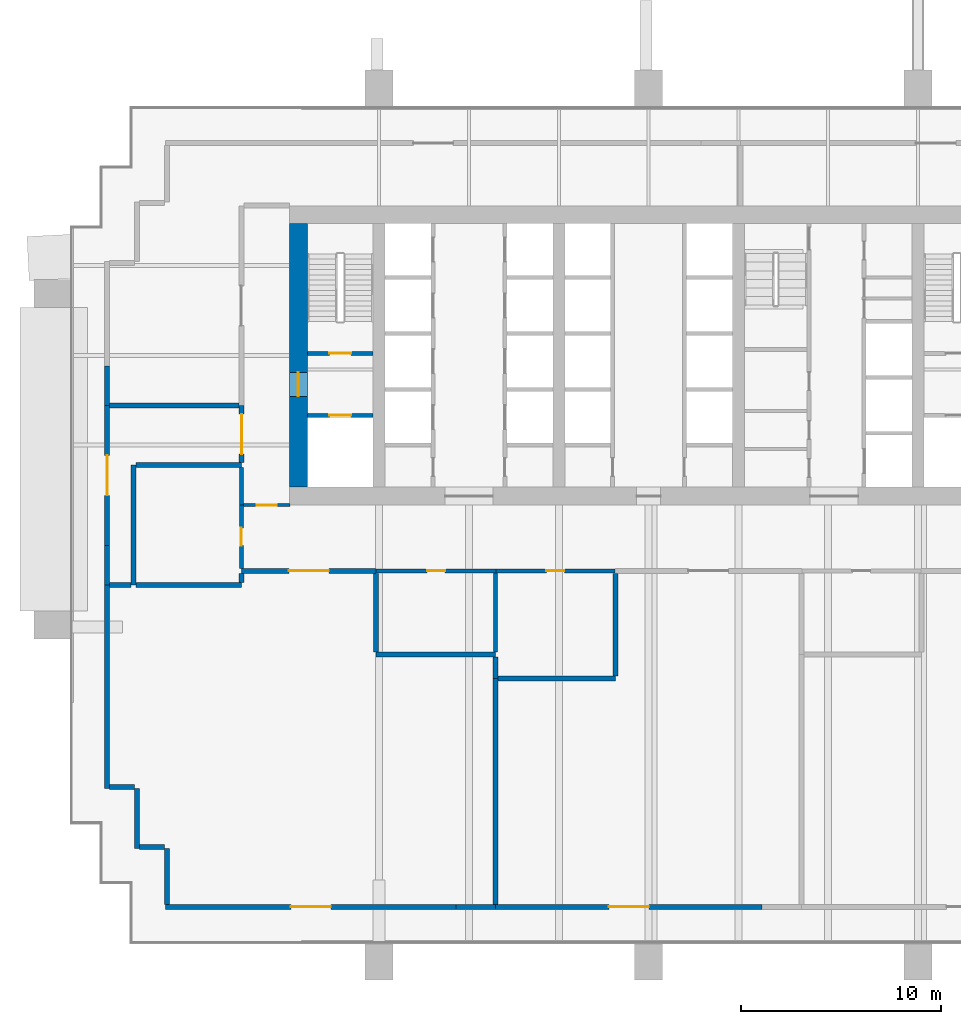
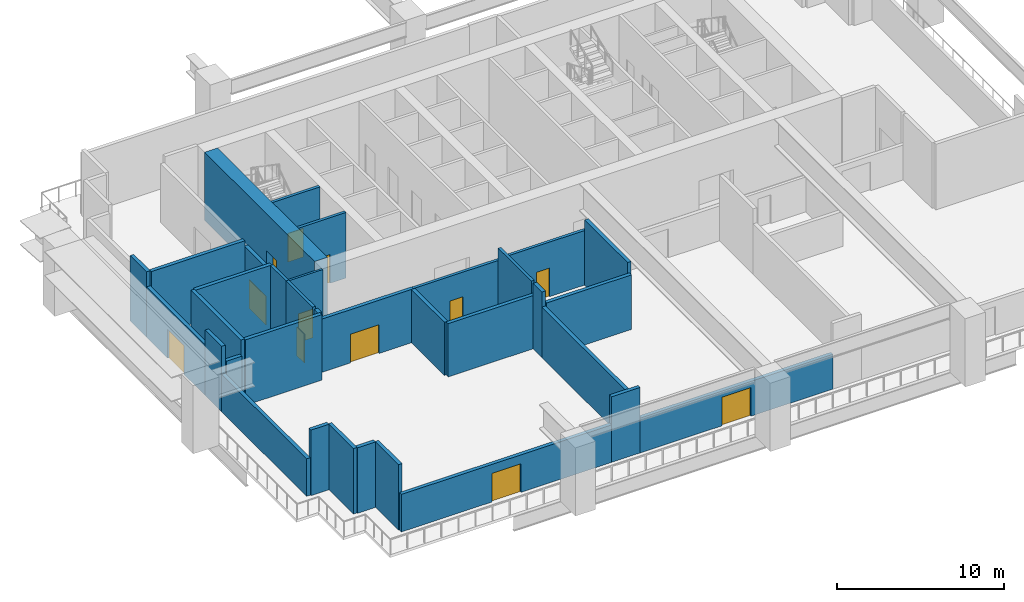
# One storey, part 2 of 9: 34 walls, 12 doors, 12 openings.
"""IFC4 building model written with IfcOpenShell, lengths in metres."""

import ifcopenshell
import ifcopenshell.guid

model = None  # the IFC model being written
_history = None  # IfcOwnerHistory: only IFC2X3 demands one
_inside = {}  # id of a spatial element -> (the spatial element, [elements in it])
_under = {}  # id of a project, library or spatial element -> (it, [spatial elements below it])
_declared = {}  # id of a project -> (the project, [libraries it declares])
_typed = {}  # id of a type object -> (the type object, [elements of that type])
_made_of = {}  # id of a material, layer set ... -> (it, [elements and type objects made of it])


def new_model(schema):
    """Start an empty IFC model of exactly this schema.

    Asked for "IFC4X3", IfcOpenShell would pick the latest addendum, in which some entities
    have other attributes; the version numbers below select the first issue.
    IFC2X3 requires an IfcOwnerHistory on every rooted entity: one is made here for all.
    """
    global model, _history
    if schema == "IFC4X3":
        model = ifcopenshell.file(schema_version=(4, 3, 0, 0))
    else:
        model = ifcopenshell.file(schema=schema)
    _inside.clear()
    _under.clear()
    _declared.clear()
    _typed.clear()
    _made_of.clear()
    _history = None
    if model.schema == "IFC2X3":
        org = make("IfcOrganization", Name="unknown")
        user = make(
            "IfcPersonAndOrganization",
            ThePerson=make("IfcPerson", FamilyName="unknown"),
            TheOrganization=org,
        )
        app = make(
            "IfcApplication",
            ApplicationDeveloper=org,
            Version="unknown",
            ApplicationFullName="unknown",
            ApplicationIdentifier="unknown",
        )
        _history = make(
            "IfcOwnerHistory",
            OwningUser=user,
            OwningApplication=app,
            ChangeAction="ADDED",
            CreationDate=0,
        )
    return model


def make(cls, **values):
    """One entity of the class cls with the attributes given. An attribute that is None is left unset."""
    return model.create_entity(
        cls, **{name: value for name, value in values.items() if value is not None}
    )


def rooted(cls, **values):
    """An entity with a GlobalId (a new one), such as an element, a storey or a relation."""
    return make(cls, GlobalId=ifcopenshell.guid.new(), OwnerHistory=_history, **values)


def si_unit(unit_type, name, prefix=None):
    """IfcSIUnit, for example si_unit("LENGTHUNIT", "METRE", prefix="MILLI")."""
    return make("IfcSIUnit", UnitType=unit_type, Prefix=prefix, Name=name)


def assignment(units):
    """IfcUnitAssignment: the units of a project."""
    return None if units is None else make("IfcUnitAssignment", Units=units)


def point(xyz):
    """IfcCartesianPoint."""
    return None if xyz is None else make("IfcCartesianPoint", Coordinates=xyz)


def direction(xyz):
    """IfcDirection."""
    return None if xyz is None else make("IfcDirection", DirectionRatios=xyz)


def frame(location, z_axis=None, x_axis=None):
    """IfcAxis2Placement3D, a coordinate frame: its origin and axes. An axis left out is left unset."""
    return make(
        "IfcAxis2Placement3D",
        Location=point(location),
        Axis=direction(z_axis),
        RefDirection=direction(x_axis),
    )


def frame_2d(location, x_axis=None):
    """IfcAxis2Placement2D, a coordinate frame in the plane: its origin and x axis."""
    return make(
        "IfcAxis2Placement2D", Location=point(location), RefDirection=direction(x_axis)
    )


def origin():
    """The frame at (0, 0, 0) with its axes left unset."""
    return frame((0.0, 0.0, 0.0))


def place(relative_to, where):
    """IfcLocalPlacement: puts the frame where relative to a parent placement (None: the world)."""
    return make(
        "IfcLocalPlacement", PlacementRelTo=relative_to, RelativePlacement=where
    )


def context(
    kind, dimensions, precision=None, world=None, true_north=None, identifier=None
):
    """IfcGeometricRepresentationContext, for example the 3D "Model" context."""
    return make(
        "IfcGeometricRepresentationContext",
        ContextIdentifier=identifier,
        ContextType=kind,
        CoordinateSpaceDimension=dimensions,
        Precision=precision,
        WorldCoordinateSystem=world,
        TrueNorth=true_north,
    )


def subcontext(parent, identifier, kind, view, scale=None):
    """IfcGeometricRepresentationSubContext, for example "Body" below "Model"."""
    return make(
        "IfcGeometricRepresentationSubContext",
        ContextIdentifier=identifier,
        ContextType=kind,
        ParentContext=parent,
        TargetScale=scale,
        TargetView=view,
    )


def project(units=None, contexts=None):
    """IfcProject with its units and contexts."""
    return rooted(
        "IfcProject",
        Name="project",
        RepresentationContexts=contexts,
        UnitsInContext=assignment(units),
    )


def spatial(cls, under=None, at=None, **own):
    """A site, building, storey or space (cls), placed at a placement, below another one or the project."""
    s = rooted(cls, ObjectPlacement=at, **own)
    if under is not None:
        _under.setdefault(under.id(), (under, []))[1].append(s)
    return s


def profile(cls, at=None, kind="AREA", **sizes):
    """A parametric profile (cls). Its sizes go by their IFC names, for example OverallWidth=200.0."""
    return make(cls, ProfileType=kind, Position=at, **sizes)


def rectangle(**sizes):
    """IfcRectangleProfileDef."""
    return profile("IfcRectangleProfileDef", **sizes)


def extrude(swept, where, along, depth):
    """IfcExtrudedAreaSolid: the profile swept, set in the frame where, extruded along a direction by depth."""
    return make(
        "IfcExtrudedAreaSolid",
        SweptArea=swept,
        Position=where,
        ExtrudedDirection=direction(along),
        Depth=depth,
    )


def shape(context_of_items, identifier, shape_type, items):
    """IfcShapeRepresentation: the items that make up one representation, for example the "Body"."""
    return make(
        "IfcShapeRepresentation",
        ContextOfItems=context_of_items,
        RepresentationIdentifier=identifier,
        RepresentationType=shape_type,
        Items=items,
    )


def material(Name=None, Category=None):
    """IfcMaterial."""
    return make("IfcMaterial", Name=Name, Category=Category)


def layer(
    of_material, thickness, ventilated=None, Name=None, Category=None, Priority=None
):
    """IfcMaterialLayer: one layer of a wall or slab, of a material (None: an air gap)."""
    return make(
        "IfcMaterialLayer",
        Material=of_material,
        LayerThickness=thickness,
        IsVentilated=ventilated,
        Name=Name,
        Category=Category,
        Priority=Priority,
    )


def layer_set(layers, Name=None):
    """IfcMaterialLayerSet."""
    return make("IfcMaterialLayerSet", MaterialLayers=layers, LayerSetName=Name)


def made_of(thing, what):
    """Note that an element or type object is made of a material, layer set ...; save() writes the relation."""
    if what is not None:
        _made_of.setdefault(what.id(), (what, []))[1].append(thing)
    return thing


def type_object(cls, material=None, **own):
    """A type object (cls), such as IfcWallType, which elements share."""
    return made_of(rooted(cls, **own), material)


def element(
    cls,
    number,
    at=None,
    inside=None,
    cuts=None,
    type_object=None,
    material=None,
    context=None,
    identifier="Body",
    shape_type=None,
    held_by="IfcProductDefinitionShape",
    body=None,
    shapes=None,
    **own,
):
    """One element of the class cls, such as IfcWall. Its Tag is "e" and its number.

    at: its placement. inside: the storey or other place that contains it. cuts: it is an
    opening in that element (IfcRelVoidsElement). A single representation is given by context,
    identifier, shape_type and body (its items); several are given by shapes. held_by: the class
    of the entity that holds the representations. save() writes the other relations.
    """
    e = rooted(cls, Tag="e%d" % number, ObjectPlacement=at, **own)
    if body is not None:
        shapes = [shape(context, identifier, shape_type, body)]
    if shapes is not None:
        e.Representation = make(held_by, Representations=shapes)
    if inside is not None:
        _inside.setdefault(inside.id(), (inside, []))[1].append(e)
    if cuts is not None:
        rooted(
            "IfcRelVoidsElement", RelatingBuildingElement=cuts, RelatedOpeningElement=e
        )
    if type_object is not None:
        _typed.setdefault(type_object.id(), (type_object, []))[1].append(e)
    return made_of(e, material)


def fill(opening, filler):
    """IfcRelFillsElement: the door or window that sits in an opening."""
    return rooted(
        "IfcRelFillsElement",
        RelatingOpeningElement=opening,
        RelatedBuildingElement=filler,
    )


def aggregate(whole, parts):
    """IfcRelAggregates: a whole, such as a stair, and the parts it consists of."""
    return rooted("IfcRelAggregates", RelatingObject=whole, RelatedObjects=parts)


def save(model, path):
    """Write the relations noted so far, then the file.

    IfcRelAggregates (storeys below a building ...), IfcRelContainedInSpatialStructure (elements
    in a storey), IfcRelDefinesByType, IfcRelAssociatesMaterial and IfcRelDeclares: one each for
    every whole, place, type object, material and project.
    """
    for whole, parts in _under.values():
        aggregate(whole, parts)
    for where, things in _inside.values():
        rooted(
            "IfcRelContainedInSpatialStructure",
            RelatedElements=things,
            RelatingStructure=where,
        )
    for kind, things in _typed.values():
        rooted("IfcRelDefinesByType", RelatedObjects=things, RelatingType=kind)
    for what, things in _made_of.values():
        rooted("IfcRelAssociatesMaterial", RelatedObjects=things, RelatingMaterial=what)
    for by, libraries in _declared.values():
        rooted("IfcRelDeclares", RelatingContext=by, RelatedDefinitions=libraries)
    model.write(path)


model = new_model("IFC4")

# Units and contexts
model_context = context("Model", 3, precision=1e-05, world=origin(), true_north=direction((0.0, 1.0)))
body_context = subcontext(model_context, "Body", "Model", "MODEL_VIEW")
ifc_project = project(units=[si_unit("LENGTHUNIT", "METRE"), si_unit("AREAUNIT", "SQUARE_METRE"), si_unit("VOLUMEUNIT", "CUBIC_METRE"), si_unit("PLANEANGLEUNIT", "RADIAN"), si_unit("MASSUNIT", "GRAM", prefix="KILO")], contexts=[model_context])

# Site, building, storey
site_placement = place(None, origin())
site = spatial("IfcSite", under=ifc_project, at=site_placement, CompositionType="ELEMENT")
building_placement = place(site_placement, origin())
building = spatial("IfcBuilding", under=site, at=building_placement, Name="Rattan Terrace Tower", CompositionType="ELEMENT")
storey_placement = place(building_placement, frame((0.0, 0.0, 158.10009765625)))
storey = spatial("IfcBuildingStorey", under=building, at=storey_placement, Name="L36", CompositionType="ELEMENT", Elevation=158.10009765625)

# Wall, opening, door
ifc_material_1 = material(Name="Gypsum board partition")
ifc_layer_1 = layer(ifc_material_1, 0.199951171875)
ifc_layer_set_1 = layer_set([ifc_layer_1], Name="Core partition 200")
wall_type_1 = type_object("IfcWallType", Name="Core partition 200", PredefinedType="PARTITIONING", material=ifc_layer_set_1)
wall_1_placement = place(storey_placement, frame((-17.10009765625, -3.0, 0.0), z_axis=(0.0, 0.0, 1.0), x_axis=(1.0, 0.0, 0.0)))
wall_1 = element("IfcWall", 1, at=wall_1_placement, inside=storey, type_object=wall_type_1, Name="Fire-fighting lobby wall", PredefinedType="PARTITIONING", context=body_context, shape_type="SweptSolid", body=[
    extrude(rectangle(XDim=3.300048828125, YDim=0.199951171875, at=frame_2d((1.64990234375, 0.0))), origin(), (0.0, 0.0, 1.0), 4.7998046875),
])
opening_1_placement = place(wall_1_placement, frame((1.10009765625, 0.0, 0.0)))
opening_1 = element("IfcOpeningElement", 2, at=opening_1_placement, cuts=wall_1, Name="Opening L36-LD-FF1", PredefinedType="OPENING", context=body_context, shape_type="SweptSolid", body=[
    extrude(rectangle(XDim=1.10009765625, YDim=2.10009765625, at=frame_2d((0.550048828125, 1.050048828125))), frame((0.0, 0.110595703125, 0.0), z_axis=(0.0, -1.0, 0.0), x_axis=(1.0, 0.0, 0.0)), (0.0, 0.0, 1.0), 0.220947265625),
])
ifc_material_2 = material(Name="Brushed stainless landing door panel")
door_type_1 = type_object("IfcDoorType", Name="Core lift landing door 1100", OperationType="DOUBLE_DOOR_SLIDING", PredefinedType="DOOR", material=ifc_material_2)
door_1_placement = place(opening_1_placement, origin())
door_1 = element("IfcDoor", 3, at=door_1_placement, inside=storey, type_object=door_type_1, Name="Door L36-LD-FF1", OperationType="DOUBLE_DOOR_SLIDING", OverallHeight=2.10009765625, OverallWidth=1.10009765625, PredefinedType="DOOR", context=body_context, shape_type="SweptSolid", body=[
    extrude(rectangle(XDim=1.10009765625, YDim=2.10009765625, at=frame_2d((0.550048828125, 1.050048828125))), frame((0.0, 0.02490234375, 0.0), z_axis=(0.0, -1.0, 0.0), x_axis=(1.0, 0.0, 0.0)), (0.0, 0.0, 1.0), 0.050048828125),
])
fill(opening_1, door_1)

wall_2_placement = place(storey_placement, frame((-17.10009765625, 0.10009765625, 0.0), z_axis=(0.0, 0.0, 1.0), x_axis=(1.0, 0.0, 0.0)))
wall_2 = element("IfcWall", 4, at=wall_2_placement, inside=storey, type_object=wall_type_1, Name="Stair enclosure wall", PredefinedType="PARTITIONING", context=body_context, shape_type="SweptSolid", body=[
    extrude(rectangle(XDim=3.300048828125, YDim=0.199951171875, at=frame_2d((1.64990234375, 0.0))), origin(), (0.0, 0.0, 1.0), 4.7998046875),
])
opening_2_placement = place(wall_2_placement, frame((1.10009765625, 0.0, 0.0)))
opening_2 = element("IfcOpeningElement", 5, at=opening_2_placement, cuts=wall_2, Name="Opening L36-D002", PredefinedType="OPENING", context=body_context, shape_type="SweptSolid", body=[
    extrude(rectangle(XDim=1.10009765625, YDim=2.10009765625, at=frame_2d((0.550048828125, 1.050048828125))), frame((0.0, 0.110595703125, 0.0), z_axis=(0.0, -1.0, 0.0), x_axis=(1.0, 0.0, 0.0)), (0.0, 0.0, 1.0), 0.220947265625),
])
ifc_material_3 = material(Name="Hollow-metal fire door leaf")
door_type_2 = type_object("IfcDoorType", Name="Core stair door 1100", OperationType="NOTDEFINED", PredefinedType="DOOR", material=ifc_material_3)
door_2_placement = place(opening_2_placement, origin())
door_2 = element("IfcDoor", 6, at=door_2_placement, inside=storey, type_object=door_type_2, Name="Door L36-D002", OperationType="SINGLE_SWING_RIGHT", OverallHeight=2.10009765625, OverallWidth=1.10009765625, PredefinedType="DOOR", context=body_context, shape_type="SweptSolid", body=[
    extrude(rectangle(XDim=1.10009765625, YDim=2.10009765625, at=frame_2d((0.550048828125, 1.050048828125))), frame((0.0, 0.02490234375, 0.0), z_axis=(0.0, -1.0, 0.0), x_axis=(1.0, 0.0, 0.0)), (0.0, 0.0, 1.0), 0.050048828125),
])
fill(opening_2, door_2)

ifc_material_4 = material(Name="Concrete C60/75", Category="concrete")
ifc_layer_2 = layer(ifc_material_4, 0.89990234375)
ifc_layer_set_2 = layer_set([ifc_layer_2], Name="Core ring wall 900 C60/75")
wall_type_2 = type_object("IfcWallType", Name="Core ring wall 900 C60/75", PredefinedType="SHEAR", material=ifc_layer_set_2)
wall_3_placement = place(storey_placement, frame((-17.550048828125, -6.60009765625, -0.2001953125), z_axis=(0.0, 0.0, 1.0), x_axis=(0.0, 1.0, 0.0)))
wall_3 = element("IfcWall", 7, at=wall_3_placement, inside=storey, type_object=wall_type_2, Name="Rear core wall west", PredefinedType="SHEAR", context=body_context, shape_type="SweptSolid", body=[
    extrude(rectangle(XDim=13.2001953125, YDim=0.89990234375, at=frame_2d((6.60009765625, 0.0))), origin(), (0.0, 0.0, 1.0), 5.0),
])
opening_3_placement = place(wall_3_placement, frame((4.550048828125, 0.0, 0.199951171875)))
opening_3 = element("IfcOpeningElement", 8, at=opening_3_placement, cuts=wall_3, Name="Opening L36-D001", PredefinedType="OPENING", context=body_context, shape_type="SweptSolid", body=[
    extrude(rectangle(XDim=1.199951171875, YDim=2.10009765625, at=frame_2d((0.60009765625, 1.050048828125))), frame((0.0, 0.46044921875, 0.0), z_axis=(0.0, -1.0, 0.0), x_axis=(1.0, 0.0, 0.0)), (0.0, 0.0, 1.0), 0.9208984375),
])
ifc_material_5 = material(Name="Hollow-metal fire door leaf")
door_type_3 = type_object("IfcDoorType", Name="Core fire-fighting lobby door 1200", OperationType="NOTDEFINED", PredefinedType="DOOR", material=ifc_material_5)
door_3_placement = place(opening_3_placement, origin())
door_3 = element("IfcDoor", 9, at=door_3_placement, inside=storey, type_object=door_type_3, Name="Door L36-D001", OperationType="SINGLE_SWING_LEFT", OverallHeight=2.10009765625, OverallWidth=1.199951171875, PredefinedType="DOOR", context=body_context, shape_type="SweptSolid", body=[
    extrude(rectangle(XDim=1.199951171875, YDim=2.10009765625, at=frame_2d((0.60009765625, 1.050048828125))), frame((0.0, 0.02490234375, 0.0), z_axis=(0.0, -1.0, 0.0), x_axis=(1.0, 0.0, 0.0)), (0.0, 0.0, 1.0), 0.050048828125),
])
fill(opening_3, door_3)

ifc_material_6 = material(Name="Concrete block wall, plastered", Category="concrete")
ifc_layer_3 = layer(ifc_material_6, 0.199951171875)
ifc_layer_set_3 = layer_set([ifc_layer_3], Name="Floors Plant Wall 200")
wall_type_3 = type_object("IfcWallType", Name="Floors Plant Wall 200", PredefinedType="PARTITIONING", material=ifc_layer_set_3)
wall_4_placement = place(storey_placement, frame((-20.40087890625, -10.675048828125, 0.0), z_axis=(0.0, 0.0, 1.0), x_axis=(0.0, 1.0, 0.0)))
wall_4 = element("IfcWall", 10, at=wall_4_placement, inside=storey, type_object=wall_type_3, Name="pt-L36-002", PredefinedType="PARTITIONING", context=body_context, shape_type="SweptSolid", body=[
    extrude(rectangle(XDim=3.175048828125, YDim=0.199951171875, at=frame_2d((1.58740234375, 0.0))), origin(), (0.0, 0.0, 1.0), 4.7998046875),
])
opening_4_placement = place(wall_4_placement, frame((1.137939453125, 0.0, 0.0)))
opening_4 = element("IfcOpeningElement", 11, at=opening_4_placement, cuts=wall_4, Name="Opening L36-D101", PredefinedType="OPENING", context=body_context, shape_type="SweptSolid", body=[
    extrude(rectangle(XDim=0.89990234375, YDim=2.10009765625, at=frame_2d((0.449951171875, 1.050048828125))), frame((0.0, 0.110595703125, 0.0), z_axis=(0.0, -1.0, 0.0), x_axis=(1.0, 0.0, 0.0)), (0.0, 0.0, 1.0), 0.220947265625),
])
ifc_material_7 = material(Name="Steel fire door set", Category="steel")
door_type_4 = type_object("IfcDoorType", Name="Floors Fire Door FD60 900x2100", OperationType="NOTDEFINED", PredefinedType="DOOR", material=ifc_material_7)
door_4_placement = place(opening_4_placement, origin())
door_4 = element("IfcDoor", 12, at=door_4_placement, inside=storey, type_object=door_type_4, Name="d-L36-101", OperationType="SINGLE_SWING_RIGHT", OverallHeight=2.10009765625, OverallWidth=0.89990234375, PredefinedType="DOOR", context=body_context, shape_type="SweptSolid", body=[
    extrude(rectangle(XDim=0.89990234375, YDim=2.10009765625, at=frame_2d((0.449951171875, 1.050048828125))), frame((0.0, 0.02490234375, 0.0), z_axis=(0.0, -1.0, 0.0), x_axis=(1.0, 0.0, 0.0)), (0.0, 0.0, 1.0), 0.050048828125),
])
fill(opening_4, door_4)

wall_5_placement = place(storey_placement, frame((-7.64697265625, -10.800048828125, 0.0), z_axis=(0.0, 0.0, 1.0), x_axis=(-1.0, 0.0, 0.0)))
wall_5 = element("IfcWall", 13, at=wall_5_placement, inside=storey, type_object=wall_type_3, Name="pt-L36-003", PredefinedType="PARTITIONING", context=body_context, shape_type="SweptSolid", body=[
    extrude(rectangle(XDim=6.0, YDim=0.199951171875, at=frame_2d((3.0, 0.0))), origin(), (0.0, 0.0, 1.0), 3.89990234375),
])
opening_5_placement = place(wall_5_placement, frame((2.550048828125, 0.0, 0.0)))
opening_5 = element("IfcOpeningElement", 14, at=opening_5_placement, cuts=wall_5, Name="Opening L36-D106", PredefinedType="OPENING", context=body_context, shape_type="SweptSolid", body=[
    extrude(rectangle(XDim=0.89990234375, YDim=2.10009765625, at=frame_2d((0.449951171875, 1.050048828125))), frame((0.0, 0.110595703125, 0.0), z_axis=(0.0, -1.0, 0.0), x_axis=(1.0, 0.0, 0.0)), (0.0, 0.0, 1.0), 0.220947265625),
])
door_5_placement = place(opening_5_placement, origin())
door_5 = element("IfcDoor", 15, at=door_5_placement, inside=storey, type_object=door_type_4, Name="d-L36-106", OperationType="SINGLE_SWING_LEFT", OverallHeight=2.10009765625, OverallWidth=0.89990234375, PredefinedType="DOOR", context=body_context, shape_type="SweptSolid", body=[
    extrude(rectangle(XDim=0.89990234375, YDim=2.10009765625, at=frame_2d((0.449951171875, 1.050048828125))), frame((0.0, 0.02490234375, 0.0), z_axis=(0.0, -1.0, 0.0), x_axis=(1.0, 0.0, 0.0)), (0.0, 0.0, 1.0), 0.050048828125),
])
fill(opening_5, door_5)

wall_6_placement = place(storey_placement, frame((-1.68701171875, -10.800048828125, 0.0), z_axis=(0.0, 0.0, 1.0), x_axis=(-1.0, 0.0, 0.0)))
wall_6 = element("IfcWall", 16, at=wall_6_placement, inside=storey, type_object=wall_type_3, Name="pt-L36-005", PredefinedType="PARTITIONING", context=body_context, shape_type="SweptSolid", body=[
    extrude(rectangle(XDim=5.9599609375, YDim=0.199951171875, at=frame_2d((2.97998046875, 0.0))), origin(), (0.0, 0.0, 1.0), 4.0),
])
opening_6_placement = place(wall_6_placement, frame((2.530029296875, 0.0, 0.0)))
opening_6 = element("IfcOpeningElement", 17, at=opening_6_placement, cuts=wall_6, Name="Opening L36-D109", PredefinedType="OPENING", context=body_context, shape_type="SweptSolid", body=[
    extrude(rectangle(XDim=0.89990234375, YDim=2.10009765625, at=frame_2d((0.449951171875, 1.050048828125))), frame((0.0, 0.110595703125, 0.0), z_axis=(0.0, -1.0, 0.0), x_axis=(1.0, 0.0, 0.0)), (0.0, 0.0, 1.0), 0.220947265625),
])
door_6_placement = place(opening_6_placement, origin())
door_6 = element("IfcDoor", 18, at=door_6_placement, inside=storey, type_object=door_type_4, Name="d-L36-109", OperationType="SINGLE_SWING_RIGHT", OverallHeight=2.10009765625, OverallWidth=0.89990234375, PredefinedType="DOOR", context=body_context, shape_type="SweptSolid", body=[
    extrude(rectangle(XDim=0.89990234375, YDim=2.10009765625, at=frame_2d((0.449951171875, 1.050048828125))), frame((0.0, 0.02490234375, 0.0), z_axis=(0.0, -1.0, 0.0), x_axis=(1.0, 0.0, 0.0)), (0.0, 0.0, 1.0), 0.050048828125),
])
fill(opening_6, door_6)

# Walls
wall_7_placement = place(storey_placement, frame((-20.39892578125, -7.5, 0.0), z_axis=(0.0, 0.0, 1.0), x_axis=(0.0, 1.0, 0.0)))
element("IfcWall", 19, at=wall_7_placement, inside=storey, type_object=wall_type_3, Name="pt-L36-011", PredefinedType="PARTITIONING", context=body_context, shape_type="SweptSolid", body=[
    extrude(rectangle(XDim=1.8759765625, YDim=0.199951171875, at=frame_2d((0.93798828125, 0.0))), origin(), (0.0, 0.0, 1.0), 4.7998046875),
])
wall_8_placement = place(storey_placement, frame((-7.666015625, -10.89990234375, 0.0), z_axis=(0.0, 0.0, 1.0), x_axis=(0.0, -1.0, 0.0)))
element("IfcWall", 20, at=wall_8_placement, inside=storey, type_object=wall_type_3, Name="pt-L36-034", PredefinedType="PARTITIONING", context=body_context, shape_type="SweptSolid", body=[
    extrude(rectangle(XDim=3.97509765625, YDim=0.199951171875, at=frame_2d((1.987548828125, 0.0))), origin(), (0.0, 0.0, 1.0), 4.7998046875),
])

# Wall, opening, door
ifc_material_8 = material(Name="Reinforced concrete wall, painted", Category="concrete")
ifc_layer_4 = layer(ifc_material_8, 0.25)
ifc_layer_set_4 = layer_set([ifc_layer_4], Name="Floors Refuge Wall 250")
wall_type_4 = type_object("IfcWallType", Name="Floors Refuge Wall 250", PredefinedType="PARTITIONING", material=ifc_layer_set_4)
wall_9_placement = place(storey_placement, frame((-13.64697265625, -10.800048828125, 0.0), z_axis=(0.0, 0.0, 1.0), x_axis=(-1.0, 0.0, 0.0)))
wall_9 = element("IfcWall", 21, at=wall_9_placement, inside=storey, type_object=wall_type_4, Name="pt-L36-004", PredefinedType="PARTITIONING", context=body_context, shape_type="SweptSolid", body=[
    extrude(rectangle(XDim=6.7529296875, YDim=0.25, at=frame_2d((3.37646484375, 0.0))), origin(), (0.0, 0.0, 1.0), 3.89990234375),
])
opening_7_placement = place(wall_9_placement, frame((2.3759765625, 0.0, 0.0)))
opening_7 = element("IfcOpeningElement", 22, at=opening_7_placement, cuts=wall_9, Name="Opening L36-D107", PredefinedType="OPENING", context=body_context, shape_type="SweptSolid", body=[
    extrude(rectangle(XDim=2.0, YDim=2.10009765625, at=frame_2d((1.0, 1.050048828125))), frame((0.0, 0.135498046875, 0.0), z_axis=(0.0, -1.0, 0.0), x_axis=(1.0, 0.0, 0.0)), (0.0, 0.0, 1.0), 0.27099609375),
])
ifc_material_9 = material(Name="Steel fire door set", Category="steel")
door_type_5 = type_object("IfcDoorType", Name="Floors Plant Equipment Door Pair FD120 2000x2100", OperationType="NOTDEFINED", PredefinedType="DOOR", material=ifc_material_9)
door_7_placement = place(opening_7_placement, origin())
door_7 = element("IfcDoor", 23, at=door_7_placement, inside=storey, type_object=door_type_5, Name="d-L36-107", OperationType="DOUBLE_DOOR_SINGLE_SWING", OverallHeight=2.10009765625, OverallWidth=2.0, PredefinedType="DOOR", context=body_context, shape_type="SweptSolid", body=[
    extrude(rectangle(XDim=2.0, YDim=2.10009765625, at=frame_2d((1.0, 1.050048828125))), frame((0.0, 0.02490234375, 0.0), z_axis=(0.0, -1.0, 0.0), x_axis=(1.0, 0.0, 0.0)), (0.0, 0.0, 1.0), 0.050048828125),
])
fill(opening_7, door_7)

wall_10_placement = place(storey_placement, frame((-20.39697265625, -5.3740234375, 0.0), z_axis=(0.0, 0.0, 1.0), x_axis=(0.0, 1.0, 0.0)))
wall_10 = element("IfcWall", 24, at=wall_10_placement, inside=storey, type_object=wall_type_4, Name="pt-L36-012", PredefinedType="PARTITIONING", context=body_context, shape_type="SweptSolid", body=[
    extrude(rectangle(XDim=2.85400390625, YDim=0.25, at=frame_2d((1.427001953125, 0.0))), origin(), (0.0, 0.0, 1.0), 4.349853515625),
])
opening_8_placement = place(wall_10_placement, frame((0.427001953125, 0.0, 0.0)))
opening_8 = element("IfcOpeningElement", 25, at=opening_8_placement, cuts=wall_10, Name="Opening L36-D102", PredefinedType="OPENING", context=body_context, shape_type="SweptSolid", body=[
    extrude(rectangle(XDim=2.0, YDim=2.10009765625, at=frame_2d((1.0, 1.050048828125))), frame((0.0, 0.135498046875, 0.0), z_axis=(0.0, -1.0, 0.0), x_axis=(1.0, 0.0, 0.0)), (0.0, 0.0, 1.0), 0.27099609375),
])
door_8_placement = place(opening_8_placement, origin())
door_8 = element("IfcDoor", 26, at=door_8_placement, inside=storey, type_object=door_type_5, Name="d-L36-102", OperationType="DOUBLE_DOOR_SINGLE_SWING", OverallHeight=2.10009765625, OverallWidth=2.0, PredefinedType="DOOR", context=body_context, shape_type="SweptSolid", body=[
    extrude(rectangle(XDim=2.0, YDim=2.10009765625, at=frame_2d((1.0, 1.050048828125))), frame((0.0, 0.02490234375, 0.0), z_axis=(0.0, -1.0, 0.0), x_axis=(1.0, 0.0, 0.0)), (0.0, 0.0, 1.0), 0.050048828125),
])
fill(opening_8, door_8)

# Walls
wall_11_placement = place(storey_placement, frame((-25.800048828125, -11.5, 0.0), z_axis=(0.0, 0.0, 1.0), x_axis=(0.0, 1.0, 0.0)))
element("IfcWall", 27, at=wall_11_placement, inside=storey, type_object=wall_type_4, Name="pt-L36-015", PredefinedType="PARTITIONING", context=body_context, shape_type="SweptSolid", body=[
    extrude(rectangle(XDim=6.0, YDim=0.25, at=frame_2d((3.0, 0.0))), origin(), (0.0, 0.0, 1.0), 4.7998046875),
])
wall_12_placement = place(storey_placement, frame((-25.675048828125, -5.4990234375, 0.0), z_axis=(0.0, 0.0, 1.0), x_axis=(1.0, 0.0, 0.0)))
element("IfcWall", 28, at=wall_12_placement, inside=storey, type_object=wall_type_4, Name="pt-L36-016", PredefinedType="PARTITIONING", context=body_context, shape_type="SweptSolid", body=[
    extrude(rectangle(XDim=5.275146484375, YDim=0.25, at=frame_2d((2.6376953125, 0.0))), origin(), (0.0, 0.0, 1.0), 4.7998046875),
])
wall_13_placement = place(storey_placement, frame((-20.40087890625, -10.925048828125, 0.0), z_axis=(0.0, 0.0, 1.0), x_axis=(0.0, -1.0, 0.0)))
element("IfcWall", 29, at=wall_13_placement, inside=storey, type_object=wall_type_4, Name="pt-L36-017", PredefinedType="PARTITIONING", context=body_context, shape_type="SweptSolid", body=[
    extrude(rectangle(XDim=0.450927734375, YDim=0.25, at=frame_2d((0.2255859375, 0.0))), origin(), (0.0, 0.0, 1.0), 4.7998046875),
])
wall_14_placement = place(storey_placement, frame((-20.39990234375, -11.5009765625, 0.0), z_axis=(0.0, 0.0, 1.0), x_axis=(-1.0, 0.0, 0.0)))
element("IfcWall", 30, at=wall_14_placement, inside=storey, type_object=wall_type_4, Name="pt-L36-018", PredefinedType="PARTITIONING", context=body_context, shape_type="SweptSolid", body=[
    extrude(rectangle(XDim=5.275146484375, YDim=0.25, at=frame_2d((2.6376953125, 0.0))), origin(), (0.0, 0.0, 1.0), 4.7998046875),
])
wall_15_placement = place(storey_placement, frame((-27.013916015625, -2.5, 0.0), z_axis=(0.0, 0.0, 1.0), x_axis=(1.0, 0.0, 0.0)))
element("IfcWall", 31, at=wall_15_placement, inside=storey, type_object=wall_type_4, Name="pt-L36-019", PredefinedType="PARTITIONING", context=body_context, shape_type="SweptSolid", body=[
    extrude(rectangle(XDim=6.489013671875, YDim=0.25, at=frame_2d((3.24462890625, 0.0))), origin(), (0.0, 0.0, 1.0), 4.7998046875),
])
wall_16_placement = place(storey_placement, frame((-25.925048828125, -11.5029296875, 0.0), z_axis=(0.0, 0.0, 1.0), x_axis=(-1.0, 0.0, 0.0)))
element("IfcWall", 32, at=wall_16_placement, inside=storey, type_object=wall_type_4, Name="pt-L36-020", PredefinedType="PARTITIONING", context=body_context, shape_type="SweptSolid", body=[
    extrude(rectangle(XDim=1.087890625, YDim=0.25, at=frame_2d((0.5439453125, 0.0))), origin(), (0.0, 0.0, 1.0), 3.699951171875),
])
wall_17_placement = place(storey_placement, frame((-27.138916015625, -11.5, 0.0), z_axis=(0.0, 0.0, 1.0), x_axis=(0.0, 1.0, 0.0)))
element("IfcWall", 33, at=wall_17_placement, inside=storey, type_object=wall_type_4, Name="pt-L36-021", PredefinedType="PARTITIONING", context=body_context, shape_type="SweptSolid", body=[
    extrude(rectangle(XDim=1.97998046875, YDim=0.25, at=frame_2d((0.989990234375, 0.0))), origin(), (0.0, 0.0, 1.0), 4.7998046875),
])

# Wall, opening, door
wall_18_placement = place(storey_placement, frame((-27.138916015625, -2.5, 0.0), z_axis=(0.0, 0.0, 1.0), x_axis=(0.0, -1.0, 0.0)))
wall_18 = element("IfcWall", 34, at=wall_18_placement, inside=storey, type_object=wall_type_4, Name="pt-L36-022", PredefinedType="PARTITIONING", context=body_context, shape_type="SweptSolid", body=[
    extrude(rectangle(XDim=7.02001953125, YDim=0.25, at=frame_2d((3.510009765625, 0.0))), origin(), (0.0, 0.0, 1.0), 3.699951171875),
])
opening_9_placement = place(wall_18_placement, frame((2.510009765625, 0.0, 0.0)))
opening_9 = element("IfcOpeningElement", 35, at=opening_9_placement, cuts=wall_18, Name="Opening L36-D103", PredefinedType="OPENING", context=body_context, shape_type="SweptSolid", body=[
    extrude(rectangle(XDim=2.0, YDim=2.10009765625, at=frame_2d((1.0, 1.050048828125))), frame((0.0, 0.135498046875, 0.0), z_axis=(0.0, -1.0, 0.0), x_axis=(1.0, 0.0, 0.0)), (0.0, 0.0, 1.0), 0.27099609375),
])
door_9_placement = place(opening_9_placement, origin())
door_9 = element("IfcDoor", 36, at=door_9_placement, inside=storey, type_object=door_type_5, Name="d-L36-103", OperationType="DOUBLE_DOOR_SINGLE_SWING", OverallHeight=2.10009765625, OverallWidth=2.0, PredefinedType="DOOR", context=body_context, shape_type="SweptSolid", body=[
    extrude(rectangle(XDim=2.0, YDim=2.10009765625, at=frame_2d((1.0, 1.050048828125))), frame((0.0, 0.02490234375, 0.0), z_axis=(0.0, -1.0, 0.0), x_axis=(1.0, 0.0, 0.0)), (0.0, 0.0, 1.0), 0.050048828125),
])
fill(opening_9, door_9)

# Walls
wall_19_placement = place(storey_placement, frame((-27.138916015625, -2.5, 0.0), z_axis=(0.0, 0.0, 1.0), x_axis=(0.0, 1.0, 0.0)))
element("IfcWall", 37, at=wall_19_placement, inside=storey, type_object=wall_type_4, Name="pt-L36-024", PredefinedType="PARTITIONING", context=body_context, shape_type="SweptSolid", body=[
    extrude(rectangle(XDim=1.97998046875, YDim=0.25, at=frame_2d((0.989990234375, 0.0))), origin(), (0.0, 0.0, 1.0), 4.7998046875),
])
wall_20_placement = place(storey_placement, frame((-13.6669921875, -14.875, 0.0), z_axis=(0.0, 0.0, 1.0), x_axis=(0.0, 1.0, 0.0)))
element("IfcWall", 38, at=wall_20_placement, inside=storey, type_object=wall_type_4, Name="pt-L36-032", PredefinedType="PARTITIONING", context=body_context, shape_type="SweptSolid", body=[
    extrude(rectangle(XDim=3.949951171875, YDim=0.25, at=frame_2d((1.97509765625, 0.0))), origin(), (0.0, 0.0, 1.0), 3.89990234375),
])
wall_21_placement = place(storey_placement, frame((-7.6669921875, -15.0, 0.0), z_axis=(0.0, 0.0, 1.0), x_axis=(-1.0, 0.0, 0.0)))
element("IfcWall", 39, at=wall_21_placement, inside=storey, type_object=wall_type_4, Name="pt-L36-033", PredefinedType="PARTITIONING", context=body_context, shape_type="SweptSolid", body=[
    extrude(rectangle(XDim=6.0, YDim=0.25, at=frame_2d((3.0, 0.0))), origin(), (0.0, 0.0, 1.0), 3.89990234375),
])
wall_22_placement = place(storey_placement, frame((-7.666015625, -15.125, 0.0), z_axis=(0.0, 0.0, 1.0), x_axis=(0.0, -1.0, 0.0)))
element("IfcWall", 40, at=wall_22_placement, inside=storey, type_object=wall_type_4, Name="pt-L36-035", PredefinedType="PARTITIONING", context=body_context, shape_type="SweptSolid", body=[
    extrude(rectangle(XDim=1.054931640625, YDim=0.25, at=frame_2d((0.52734375, 0.0))), origin(), (0.0, 0.0, 1.0), 4.7998046875),
])
wall_23_placement = place(storey_placement, frame((-7.6669921875, -16.179931640625, 0.0), z_axis=(0.0, 0.0, 1.0), x_axis=(0.0, -1.0, 0.0)))
element("IfcWall", 41, at=wall_23_placement, inside=storey, type_object=wall_type_4, Name="pt-L36-036", PredefinedType="PARTITIONING", context=body_context, shape_type="SweptSolid", body=[
    extrude(rectangle(XDim=11.333984375, YDim=0.25, at=frame_2d((5.6669921875, 0.0))), origin(), (0.0, 0.0, 1.0), 3.699951171875),
])
wall_24_placement = place(storey_placement, frame((-7.6669921875, -27.638916015625, 0.0), z_axis=(0.0, 0.0, 1.0), x_axis=(-1.0, 0.0, 0.0)))
element("IfcWall", 42, at=wall_24_placement, inside=storey, type_object=wall_type_4, Name="pt-L36-037", PredefinedType="PARTITIONING", context=body_context, shape_type="SweptSolid", body=[
    extrude(rectangle(XDim=1.97998046875, YDim=0.25, at=frame_2d((0.989990234375, 0.0))), origin(), (0.0, 0.0, 1.0), 4.7998046875),
])
wall_25_placement = place(storey_placement, frame((-27.137939453125, -21.699951171875, 0.0), z_axis=(0.0, 0.0, 1.0), x_axis=(0.0, 1.0, 0.0)))
element("IfcWall", 43, at=wall_25_placement, inside=storey, type_object=wall_type_4, Name="pt-L36-038", PredefinedType="PARTITIONING", context=body_context, shape_type="SweptSolid", body=[
    extrude(rectangle(XDim=10.199951171875, YDim=0.25, at=frame_2d((5.10009765625, 0.0))), origin(), (0.0, 0.0, 1.0), 2.75),
])
wall_26_placement = place(storey_placement, frame((-25.763916015625, -21.638916015625, 0.0), z_axis=(0.0, 0.0, 1.0), x_axis=(-1.0, 0.0, 0.0)))
element("IfcWall", 44, at=wall_26_placement, inside=storey, type_object=wall_type_4, Name="pt-L36-039", PredefinedType="PARTITIONING", context=body_context, shape_type="SweptSolid", body=[
    extrude(rectangle(XDim=1.2490234375, YDim=0.25, at=frame_2d((0.62451171875, 0.0))), origin(), (0.0, 0.0, 1.0), 4.7998046875),
])
wall_27_placement = place(storey_placement, frame((-25.638916015625, -24.699951171875, 0.0), z_axis=(0.0, 0.0, 1.0), x_axis=(0.0, 1.0, 0.0)))
element("IfcWall", 45, at=wall_27_placement, inside=storey, type_object=wall_type_4, Name="pt-L36-040", PredefinedType="PARTITIONING", context=body_context, shape_type="SweptSolid", body=[
    extrude(rectangle(XDim=3.0, YDim=0.25, at=frame_2d((1.5, 0.0))), origin(), (0.0, 0.0, 1.0), 4.7998046875),
])
wall_28_placement = place(storey_placement, frame((-24.263916015625, -24.637939453125, 0.0), z_axis=(0.0, 0.0, 1.0), x_axis=(-1.0, 0.0, 0.0)))
element("IfcWall", 46, at=wall_28_placement, inside=storey, type_object=wall_type_4, Name="pt-L36-041", PredefinedType="PARTITIONING", context=body_context, shape_type="SweptSolid", body=[
    extrude(rectangle(XDim=1.25, YDim=0.25, at=frame_2d((0.625, 0.0))), origin(), (0.0, 0.0, 1.0), 4.7998046875),
])
wall_29_placement = place(storey_placement, frame((-24.138916015625, -27.513916015625, 0.0), z_axis=(0.0, 0.0, 1.0), x_axis=(0.0, 1.0, 0.0)))
element("IfcWall", 47, at=wall_29_placement, inside=storey, type_object=wall_type_4, Name="pt-L36-042", PredefinedType="PARTITIONING", context=body_context, shape_type="SweptSolid", body=[
    extrude(rectangle(XDim=2.81396484375, YDim=0.25, at=frame_2d((1.406982421875, 0.0))), origin(), (0.0, 0.0, 1.0), 4.7998046875),
])

# Wall, opening, door
wall_30_placement = place(storey_placement, frame((-24.199951171875, -27.638916015625, 0.0), z_axis=(0.0, 0.0, 1.0), x_axis=(1.0, 0.0, 0.0)))
wall_30 = element("IfcWall", 48, at=wall_30_placement, inside=storey, type_object=wall_type_4, Name="pt-L36-043", PredefinedType="PARTITIONING", context=body_context, shape_type="SweptSolid", body=[
    extrude(rectangle(XDim=14.552978515625, YDim=0.25, at=frame_2d((7.2763671875, 0.0))), origin(), (0.0, 0.0, 1.0), 2.75),
])
opening_10_placement = place(wall_30_placement, frame((6.27587890625, 0.0, 0.0)))
opening_10 = element("IfcOpeningElement", 49, at=opening_10_placement, cuts=wall_30, Name="Opening L36-D108", PredefinedType="OPENING", context=body_context, shape_type="SweptSolid", body=[
    extrude(rectangle(XDim=2.0, YDim=2.10009765625, at=frame_2d((1.0, 1.050048828125))), frame((0.0, 0.135498046875, 0.0), z_axis=(0.0, -1.0, 0.0), x_axis=(1.0, 0.0, 0.0)), (0.0, 0.0, 1.0), 0.27099609375),
])
door_10_placement = place(opening_10_placement, origin())
door_10 = element("IfcDoor", 50, at=door_10_placement, inside=storey, type_object=door_type_5, Name="d-L36-108", OperationType="DOUBLE_DOOR_SINGLE_SWING", OverallHeight=2.10009765625, OverallWidth=2.0, PredefinedType="DOOR", context=body_context, shape_type="SweptSolid", body=[
    extrude(rectangle(XDim=2.0, YDim=2.10009765625, at=frame_2d((1.0, 1.050048828125))), frame((0.0, 0.02490234375, 0.0), z_axis=(0.0, -1.0, 0.0), x_axis=(1.0, 0.0, 0.0)), (0.0, 0.0, 1.0), 0.050048828125),
])
fill(opening_10, door_10)

# Walls
wall_31_placement = place(storey_placement, frame((-1.6669921875, -16.198974609375, 0.0), z_axis=(0.0, 0.0, 1.0), x_axis=(-1.0, 0.0, 0.0)))
element("IfcWall", 51, at=wall_31_placement, inside=storey, type_object=wall_type_4, Name="pt-L36-044", PredefinedType="PARTITIONING", context=body_context, shape_type="SweptSolid", body=[
    extrude(rectangle(XDim=5.875, YDim=0.25, at=frame_2d((2.9375, 0.0))), origin(), (0.0, 0.0, 1.0), 4.0),
])
wall_32_placement = place(storey_placement, frame((-1.6669921875, -10.925048828125, 0.0), z_axis=(0.0, 0.0, 1.0), x_axis=(0.0, -1.0, 0.0)))
element("IfcWall", 52, at=wall_32_placement, inside=storey, type_object=wall_type_4, Name="pt-L36-045", PredefinedType="PARTITIONING", context=body_context, shape_type="SweptSolid", body=[
    extrude(rectangle(XDim=5.14892578125, YDim=0.25, at=frame_2d((2.574462890625, 0.0))), origin(), (0.0, 0.0, 1.0), 4.7998046875),
])

# Wall, opening, door
wall_33_placement = place(storey_placement, frame((-7.6669921875, -27.638916015625, 0.0), z_axis=(0.0, 0.0, 1.0), x_axis=(1.0, 0.0, 0.0)))
wall_33 = element("IfcWall", 53, at=wall_33_placement, inside=storey, type_object=wall_type_4, Name="pt-L36-049", PredefinedType="PARTITIONING", context=body_context, shape_type="SweptSolid", body=[
    extrude(rectangle(XDim=13.35400390625, YDim=0.25, at=frame_2d((6.677001953125, 0.0))), origin(), (0.0, 0.0, 1.0), 2.5498046875),
])
opening_11_placement = place(wall_33_placement, frame((5.677001953125, 0.0, 0.0)))
opening_11 = element("IfcOpeningElement", 54, at=opening_11_placement, cuts=wall_33, Name="Opening L36-D111", PredefinedType="OPENING", context=body_context, shape_type="SweptSolid", body=[
    extrude(rectangle(XDim=2.0, YDim=2.10009765625, at=frame_2d((1.0, 1.050048828125))), frame((0.0, 0.135498046875, 0.0), z_axis=(0.0, -1.0, 0.0), x_axis=(1.0, 0.0, 0.0)), (0.0, 0.0, 1.0), 0.27099609375),
])
door_11_placement = place(opening_11_placement, origin())
door_11 = element("IfcDoor", 55, at=door_11_placement, inside=storey, type_object=door_type_5, Name="d-L36-111", OperationType="DOUBLE_DOOR_SINGLE_SWING", OverallHeight=2.10009765625, OverallWidth=2.0, PredefinedType="DOOR", context=body_context, shape_type="SweptSolid", body=[
    extrude(rectangle(XDim=2.0, YDim=2.10009765625, at=frame_2d((1.0, 1.050048828125))), frame((0.0, 0.02490234375, 0.0), z_axis=(0.0, -1.0, 0.0), x_axis=(1.0, 0.0, 0.0)), (0.0, 0.0, 1.0), 0.050048828125),
])
fill(opening_11, door_11)

ifc_material_10 = material(Name="Gypsum board partition on steel studs, fire rated", Category="steel")
ifc_layer_5 = layer(ifc_material_10, 0.14990234375)
ifc_layer_set_5 = layer_set([ifc_layer_5], Name="Floors Tenancy Wall 150")
wall_type_5 = type_object("IfcWallType", Name="Floors Tenancy Wall 150", PredefinedType="PARTITIONING", material=ifc_layer_set_5)
wall_34_placement = place(storey_placement, frame((-20.300048828125, -7.5, 0.0), z_axis=(0.0, 0.0, 1.0), x_axis=(1.0, 0.0, 0.0)))
wall_34 = element("IfcWall", 56, at=wall_34_placement, inside=storey, type_object=wall_type_5, Name="pt-L36-001", PredefinedType="PARTITIONING", context=body_context, shape_type="SweptSolid", body=[
    extrude(rectangle(XDim=2.320068359375, YDim=0.14990234375, at=frame_2d((1.16015625, 0.0))), origin(), (0.0, 0.0, 1.0), 4.7998046875),
])
opening_12_placement = place(wall_34_placement, frame((0.659912109375, 0.0, 0.0)))
opening_12 = element("IfcOpeningElement", 57, at=opening_12_placement, cuts=wall_34, Name="Opening L36-D100", PredefinedType="OPENING", context=body_context, shape_type="SweptSolid", body=[
    extrude(rectangle(XDim=1.0, YDim=2.10009765625, at=frame_2d((0.5, 1.050048828125))), frame((0.0, 0.08544921875, 0.0), z_axis=(0.0, -1.0, 0.0), x_axis=(1.0, 0.0, 0.0)), (0.0, 0.0, 1.0), 0.1708984375),
])
ifc_material_11 = material(Name="Steel fire door set", Category="steel")
door_type_6 = type_object("IfcDoorType", Name="Floors Fire Door FD30S 1000x2100", OperationType="NOTDEFINED", PredefinedType="DOOR", material=ifc_material_11)
door_12_placement = place(opening_12_placement, origin())
door_12 = element("IfcDoor", 58, at=door_12_placement, inside=storey, type_object=door_type_6, Name="d-L36-100", OperationType="SINGLE_SWING_LEFT", OverallHeight=2.10009765625, OverallWidth=1.0, PredefinedType="DOOR", context=body_context, shape_type="SweptSolid", body=[
    extrude(rectangle(XDim=1.0, YDim=2.10009765625, at=frame_2d((0.5, 1.050048828125))), frame((0.0, 0.02490234375, 0.0), z_axis=(0.0, -1.0, 0.0), x_axis=(1.0, 0.0, 0.0)), (0.0, 0.0, 1.0), 0.050048828125),
])
fill(opening_12, door_12)

save(model, "model.ifc")
